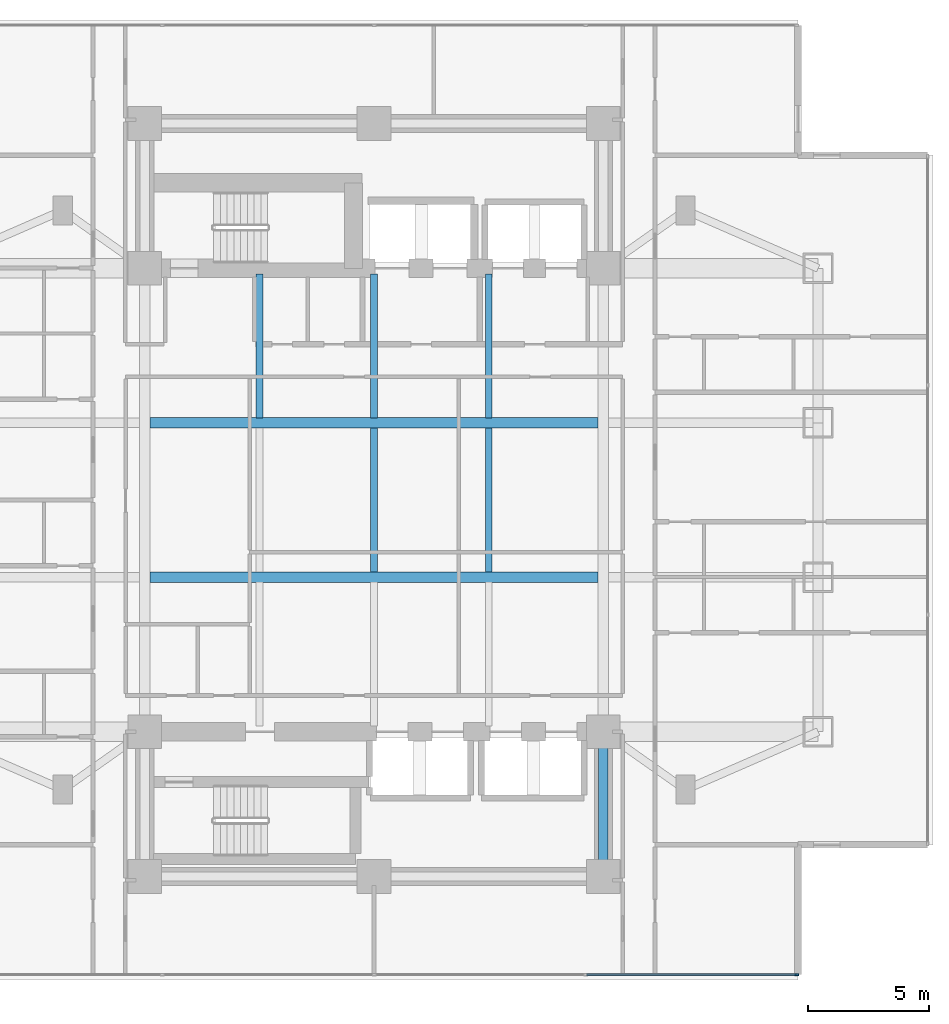
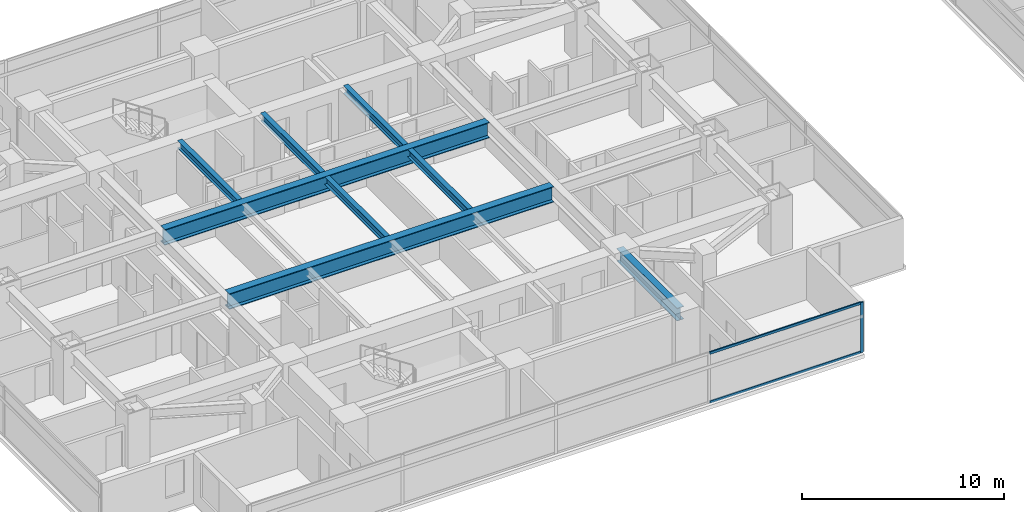
# One storey, part 4 of 26: 8 beams, 3 members, 1 element without a shape of its own.
"""IFC4 building model written with IfcOpenShell, lengths in metres."""

from ifc_helpers import new_model, si_unit, direction, frame, origin, origin_2d, place, context, subcontext, project, spatial, rectangle, i_section, extrude, material, material_profile, profile_set, type_object, element, aggregate, save


model = new_model("IFC4")

# Units and contexts
model_context = context("Model", 3, precision=1e-05, world=origin(), true_north=direction((0.0, 1.0)))
body_context = subcontext(model_context, "Body", "Model", "MODEL_VIEW")
ifc_project = project(units=[si_unit("LENGTHUNIT", "METRE"), si_unit("AREAUNIT", "SQUARE_METRE"), si_unit("VOLUMEUNIT", "CUBIC_METRE"), si_unit("PLANEANGLEUNIT", "RADIAN"), si_unit("MASSUNIT", "GRAM", prefix="KILO")], contexts=[model_context])

# Site, building, storey
site_placement = place(None, origin())
site = spatial("IfcSite", under=ifc_project, at=site_placement, CompositionType="ELEMENT")
building_placement = place(site_placement, origin())
building = spatial("IfcBuilding", under=site, at=building_placement, Name="Mirazonda Arch Towers", CompositionType="ELEMENT")
storey_placement = place(building_placement, frame((0.0, 0.0, 45.5)))
storey = spatial("IfcBuildingStorey", under=building, at=storey_placement, Name="L12", CompositionType="ELEMENT", Elevation=45.5)

# Beams
ifc_material_1 = material(Name="Steel ASTM A992 Grade 50", Category="steel")
ifc_material_profile_1 = material_profile(ifc_material_1, i_section(OverallWidth=0.280029296875, OverallDepth=0.462890625, WebThickness=0.0107421875, FlangeThickness=0.017333984375, at=origin_2d()), Name="W18X76")
ifc_profile_set_1 = profile_set([ifc_material_profile_1], Name="Steel ASTM A992 Grade 50")
beam_type_1 = type_object("IfcBeamType", Name="BM-INT-W18X76", PredefinedType="JOIST", material=ifc_profile_set_1)
for number, where, z_axis, x_axis, name in (
    (1, (15.75, 31.407470703125, 2.82861328125), (0.0, 1.0, 0.0), (-1.0, 0.0, 0.0), "L12 Floor Beam BM-T1-L12-J-157-31"),
    (2, (20.5, 31.407470703125, 2.82861328125), (0.0, 1.0, 0.0), (-1.0, 0.0, 0.0), "L12 Floor Beam BM-T1-L12-J-205-31"),
):
    element("IfcBeam", number, at=place(storey_placement, frame(where, z_axis=z_axis, x_axis=x_axis)), inside=storey, type_object=beam_type_1, Name=name, PredefinedType="JOIST", context=body_context, shape_type="SweptSolid", body=[
        extrude(i_section(OverallWidth=0.280029296875, OverallDepth=0.462890625, WebThickness=0.0107421875, FlangeThickness=0.017333984375, at=origin_2d()), origin(), (0.0, 0.0, 1.0), 5.95263671875),
    ])
beam_1_placement = place(storey_placement, frame((20.5, 25.007568359375, 2.82861328125), z_axis=(0.0, 1.0, 0.0), x_axis=(-1.0, 0.0, 0.0)))
element("IfcBeam", 3, at=beam_1_placement, inside=storey, type_object=beam_type_1, Name="L12 Floor Beam BM-T1-L12-J-205-24", PredefinedType="JOIST", context=body_context, shape_type="SweptSolid", body=[
    extrude(i_section(OverallWidth=0.280029296875, OverallDepth=0.462890625, WebThickness=0.0107421875, FlangeThickness=0.017333984375, at=origin_2d()), origin(), (0.0, 0.0, 1.0), 5.98486328125),
])
beam_2_placement = place(storey_placement, frame((25.25, 31.407470703125, 2.82861328125), z_axis=(0.0, 1.0, 0.0), x_axis=(-1.0, 0.0, 0.0)))
element("IfcBeam", 4, at=beam_2_placement, inside=storey, type_object=beam_type_1, Name="L12 Floor Beam BM-T1-L12-J-252-31", PredefinedType="JOIST", context=body_context, shape_type="SweptSolid", body=[
    extrude(i_section(OverallWidth=0.280029296875, OverallDepth=0.462890625, WebThickness=0.0107421875, FlangeThickness=0.017333984375, at=origin_2d()), origin(), (0.0, 0.0, 1.0), 5.95263671875),
])
beam_3_placement = place(storey_placement, frame((25.25, 25.007568359375, 2.82861328125), z_axis=(0.0, 1.0, 0.0), x_axis=(-1.0, 0.0, 0.0)))
element("IfcBeam", 5, at=beam_3_placement, inside=storey, type_object=beam_type_1, Name="L12 Floor Beam BM-T1-L12-J-252-24", PredefinedType="JOIST", context=body_context, shape_type="SweptSolid", body=[
    extrude(i_section(OverallWidth=0.280029296875, OverallDepth=0.462890625, WebThickness=0.0107421875, FlangeThickness=0.017333984375, at=origin_2d()), origin(), (0.0, 0.0, 1.0), 5.98486328125),
])
ifc_material_profile_2 = material_profile(ifc_material_1, i_section(OverallWidth=0.381103515625, OverallDepth=0.77294921875, WebThickness=0.0166015625, FlangeThickness=0.027099609375, at=origin_2d()), Name="W30X173")
ifc_profile_set_2 = profile_set([ifc_material_profile_2], Name="Steel ASTM A992 Grade 50")
beam_type_2 = type_object("IfcBeamType", Name="BM-INT-W30X173", PredefinedType="USERDEFINED", material=ifc_profile_set_2)
beam_4_placement = place(storey_placement, frame((30.0, 12.39990234375, 2.673583984375), z_axis=(0.0, 1.0, 0.0), x_axis=(-1.0, 0.0, 0.0)))
element("IfcBeam", 6, at=beam_4_placement, inside=storey, type_object=beam_type_2, Name="L12 Floor Beam BM-T1-L12-CSE", ObjectType="GIRDER", PredefinedType="USERDEFINED", context=body_context, shape_type="SweptSolid", body=[
    extrude(i_section(OverallWidth=0.381103515625, OverallDepth=0.77294921875, WebThickness=0.0166015625, FlangeThickness=0.027099609375, at=origin_2d()), origin(), (0.0, 0.0, 1.0), 6.0),
])
ifc_material_profile_3 = material_profile(ifc_material_1, i_section(OverallWidth=0.423095703125, OverallDepth=0.947998046875, WebThickness=0.02392578125, FlangeThickness=0.042724609375, at=origin_2d()), Name="W36X302")
ifc_profile_set_3 = profile_set([ifc_material_profile_3], Name="Steel ASTM A992 Grade 50")
beam_type_3 = type_object("IfcBeamType", Name="BM-INT-W36X302", PredefinedType="USERDEFINED", material=ifc_profile_set_3)
for number, where, z_axis, x_axis, name in (
    (7, (11.21142578125, 24.800048828125, 2.5859375), (1.0, 0.0, 0.0), (0.0, 1.0, 0.0), "L12 Floor Beam BM-T1-L12-GC2"),
    (8, (11.21142578125, 31.199951171875, 2.5859375), (1.0, 0.0, 0.0), (0.0, 1.0, 0.0), "L12 Floor Beam BM-T1-L12-GC3"),
):
    element("IfcBeam", number, at=place(storey_placement, frame(where, z_axis=z_axis, x_axis=x_axis)), inside=storey, type_object=beam_type_3, Name=name, ObjectType="GIRDER", PredefinedType="USERDEFINED", context=body_context, shape_type="SweptSolid", body=[
        extrude(i_section(OverallWidth=0.423095703125, OverallDepth=0.947998046875, WebThickness=0.02392578125, FlangeThickness=0.042724609375, at=origin_2d()), origin(), (0.0, 0.0, 1.0), 18.5771484375),
    ])

# Curtain wall, members
ifc_material_2 = material(Name="Anodised Aluminium and Low-E Glass", Category="aluminium")
curtain_wall_type = type_object("IfcCurtainWallType", Name="CW-HTL-UNIT", PredefinedType="NOTDEFINED", material=ifc_material_2)
curtain_wall_placement = place(storey_placement, origin())
curtain_wall = element("IfcCurtainWall", 9, at=curtain_wall_placement, inside=storey, type_object=curtain_wall_type, Name="L12 T1 S Facade CW-L12-T1-S", PredefinedType="NOTDEFINED")
ifc_material_3 = material(Name="Anodised Aluminium Alloy", Category="aluminium")
ifc_material_profile_4 = material_profile(ifc_material_3, rectangle(XDim=0.074951171875, YDim=0.1650390625, at=origin_2d()), Name="ALU-MULL-75x165")
ifc_profile_set_4 = profile_set([ifc_material_profile_4], Name="Anodised Aluminium Alloy")
member_type_1 = type_object("IfcMemberType", Name="MULL-CW-HTL-UNIT", PredefinedType="MULLION", material=ifc_profile_set_4)
member_1_placement = place(storey_placement, frame((38.0224609375, 8.333984375, 0.0), z_axis=(0.0, 0.0, 1.0), x_axis=(0.0, -1.0, 0.0)))
member_1 = element("IfcMember", 10, at=member_1_placement, type_object=member_type_1, Name="CW-112 mullion 1", PredefinedType="MULLION", context=body_context, shape_type="SweptSolid", body=[
    extrude(rectangle(XDim=0.074951171875, YDim=0.1650390625, at=origin_2d()), origin(), (0.0, 0.0, 1.0), 3.0400390625),
])
ifc_material_profile_5 = material_profile(ifc_material_3, rectangle(XDim=0.074951171875, YDim=0.14501953125, at=origin_2d()), Name="ALU-TRAN-75x145")
ifc_profile_set_5 = profile_set([ifc_material_profile_5], Name="Anodised Aluminium Alloy")
member_type_2 = type_object("IfcMemberType", Name="TRAN-CW-HTL-UNIT", PredefinedType="USERDEFINED", material=ifc_profile_set_5)
member_2_placement = place(storey_placement, frame((37.985107421875, 8.333984375, 0.03759765625), z_axis=(-1.0, 0.0, 0.0), x_axis=(0.0, -1.0, 0.0)))
member_2 = element("IfcMember", 11, at=member_2_placement, type_object=member_type_2, Name="CW-112 transom 1.1", ObjectType="TRANSOM", PredefinedType="USERDEFINED", context=body_context, shape_type="SweptSolid", body=[
    extrude(rectangle(XDim=0.074951171875, YDim=0.14501953125, at=origin_2d()), origin(), (0.0, 0.0, 1.0), 8.667724609375),
])
member_3_placement = place(storey_placement, frame((37.985107421875, 8.333984375, 3.00244140625), z_axis=(-1.0, 0.0, 0.0), x_axis=(0.0, -1.0, 0.0)))
member_3 = element("IfcMember", 12, at=member_3_placement, type_object=member_type_2, Name="CW-112 transom 1.2", ObjectType="TRANSOM", PredefinedType="USERDEFINED", context=body_context, shape_type="SweptSolid", body=[
    extrude(rectangle(XDim=0.074951171875, YDim=0.14501953125, at=origin_2d()), origin(), (0.0, 0.0, 1.0), 8.667724609375),
])
aggregate(curtain_wall, [member_1, member_2, member_3])

save(model, "model.ifc")
